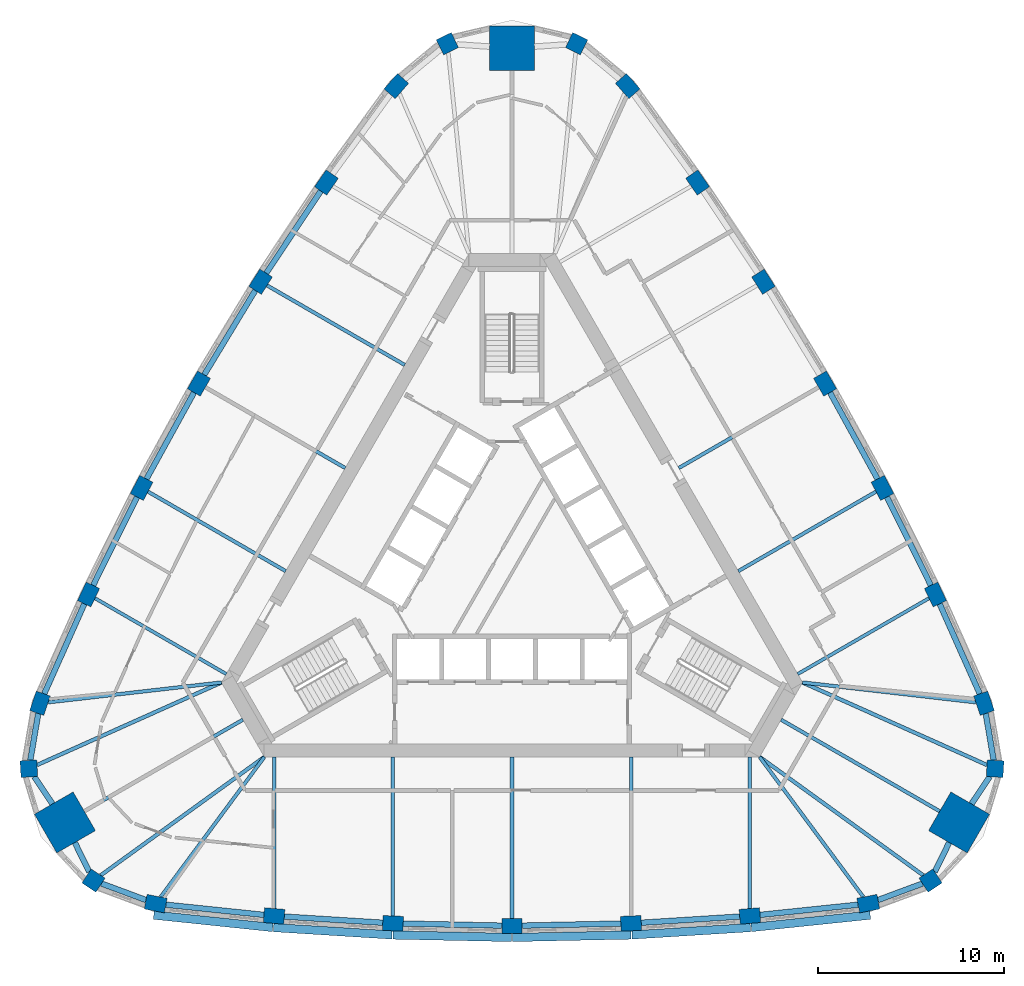
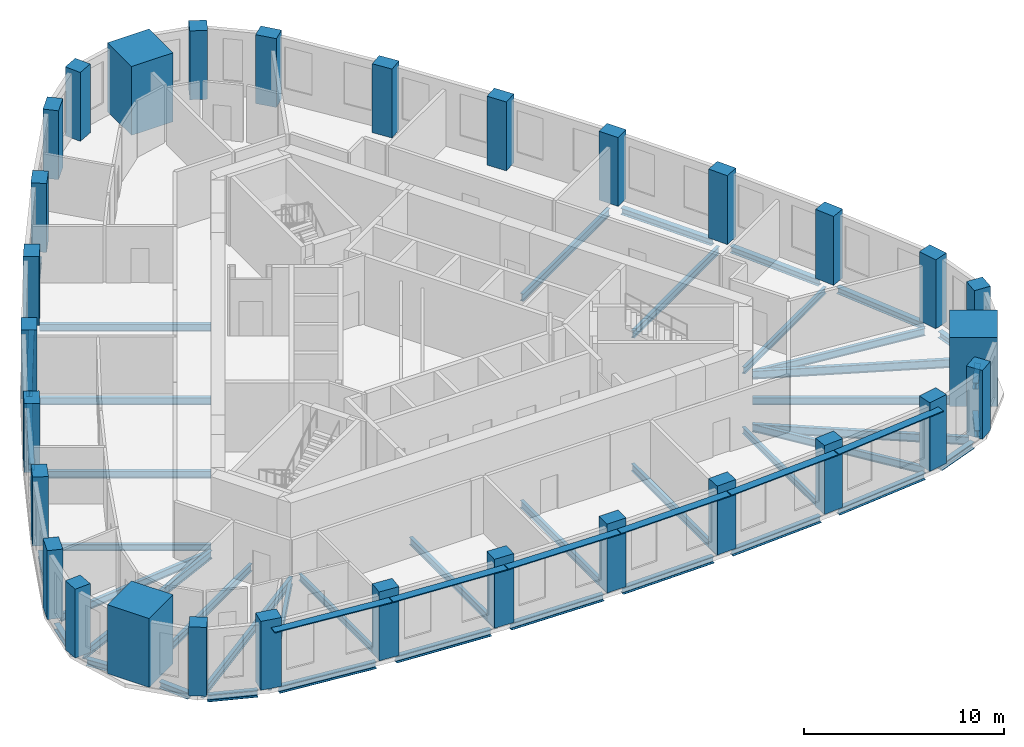
# One storey, part 1 of 10: 44 beams, 30 columns, 6 members.
"""IFC4 building model written with IfcOpenShell, lengths in metres."""

from ifc_helpers import new_model, si_unit, direction, frame, origin, origin_2d, place, context, subcontext, project, spatial, rectangle, i_section, extrude, material, material_profile, profile_set, type_object, element, save


model = new_model("IFC4")

# Units and contexts
model_context = context("Model", 3, precision=1e-05, world=origin(), true_north=direction((0.0, 1.0)))
body_context = subcontext(model_context, "Body", "Model", "MODEL_VIEW")
ifc_project = project(units=[si_unit("LENGTHUNIT", "METRE"), si_unit("AREAUNIT", "SQUARE_METRE"), si_unit("VOLUMEUNIT", "CUBIC_METRE"), si_unit("PLANEANGLEUNIT", "RADIAN"), si_unit("MASSUNIT", "GRAM", prefix="KILO")], contexts=[model_context])

# Site, building, storey
site_placement = place(None, origin())
site = spatial("IfcSite", under=ifc_project, at=site_placement, CompositionType="ELEMENT")
building_placement = place(site_placement, origin())
building = spatial("IfcBuilding", under=site, at=building_placement, Name="Mestral Congress Tower", CompositionType="ELEMENT")
storey_placement = place(building_placement, frame((0.0, 0.0, 222.60009765625)))
storey = spatial("IfcBuildingStorey", under=building, at=storey_placement, Name="L52", CompositionType="ELEMENT", Elevation=222.60009765625)

# Columns
ifc_material_1 = material(Name="Concrete C60/75", Category="concrete")
ifc_material_profile_1 = material_profile(ifc_material_1, rectangle(XDim=1.10009765625, YDim=0.800048828125, at=origin_2d()), Name="RC 1100x800")
ifc_profile_set_1 = profile_set([ifc_material_profile_1], Name="Concrete C60/75")
column_type_1 = type_object("IfcColumnType", Name="Column RC 1100x800 C60/75", PredefinedType="COLUMN", material=ifc_profile_set_1)
for number, where, z_axis, x_axis, name in (
    (1, (-19.150390625, -18.23681640625, 0.0), (0.0, 0.0, 1.0), (0.981324571854, -0.192359259395, 0.0), "COL-L52-C4-S00"),
    (2, (-12.785400390625, -18.899658203125, 0.0), (0.0, 0.0, 1.0), (0.996556680667, -0.082914306473, 0.0), "COL-L52-C4-S01"),
    (3, (-6.398193359375, -19.2978515625, 0.0), (0.0, 0.0, 1.0), (0.999138835542, -0.041492015025, 0.0), "COL-L52-C4-S02"),
    (4, (0.0, -19.4306640625, 0.0), (0.0, 0.0, 1.0), (1.0, 0.0, 0.0), "COL-L52-C4-S03"),
    (5, (6.398193359375, -19.2978515625, 0.0), (0.0, 0.0, 1.0), (0.999138835542, 0.041492015025, 0.0), "COL-L52-C4-S04"),
    (6, (12.785400390625, -18.899658203125, 0.0), (0.0, 0.0, 1.0), (0.996556680667, 0.082914306473, 0.0), "COL-L52-C4-S05"),
    (7, (19.150390625, -18.23681640625, 0.0), (0.0, 0.0, 1.0), (0.981324571854, 0.192359259395, 0.0), "COL-L52-C4-S06"),
    (8, (25.368896484375, -7.46630859375, 0.0), (0.0, 0.0, 1.0), (-0.324074280638, 0.946031638281, 0.0), "COL-L52-C4-E00"),
    (9, (22.76025390625, -1.62255859375, 0.0), (0.0, 0.0, 1.0), (-0.426472444591, 0.904500555005, 0.0), "COL-L52-C4-E01"),
    (10, (19.91162109375, 4.10791015625, 0.0), (0.0, 0.0, 1.0), (-0.463636278705, 0.886025621, 0.0), "COL-L52-C4-E02"),
    (11, (16.827392578125, 9.71533203125, 0.0), (0.0, 0.0, 1.0), (-0.5, 0.866025403784, 0.0), "COL-L52-C4-E03"),
    (12, (13.51318359375, 15.18994140625, 0.0), (0.0, 0.0, 1.0), (-0.535502556837, 0.844533605975, 0.0), "COL-L52-C4-E04"),
    (13, (9.974853515625, 20.522216796875, 0.0), (0.0, 0.0, 1.0), (-0.570084236076, 0.821586248532, 0.0), "COL-L52-C4-E05"),
    (14, (6.218505859375, 25.703125, 0.0), (0.0, 0.0, 1.0), (-0.657250291216, 0.753672378886, 0.0), "COL-L52-C4-E06"),
    (15, (-6.218505859375, 25.703125, 0.0), (0.0, 0.0, 1.0), (-0.657250291216, -0.753672378886, 0.0), "COL-L52-C4-W00"),
    (16, (-9.974853515625, 20.522216796875, 0.0), (0.0, 0.0, 1.0), (-0.570084236076, -0.821586248532, 0.0), "COL-L52-C4-W01"),
    (17, (-13.51318359375, 15.18994140625, 0.0), (0.0, 0.0, 1.0), (-0.535502556837, -0.844533605975, 0.0), "COL-L52-C4-W02"),
    (18, (-16.827392578125, 9.71533203125, 0.0), (0.0, 0.0, 1.0), (-0.5, -0.866025403784, 0.0), "COL-L52-C4-W03"),
    (19, (-19.91162109375, 4.10791015625, 0.0), (0.0, 0.0, 1.0), (-0.463636278705, -0.886025621, 0.0), "COL-L52-C4-W04"),
    (20, (-22.76025390625, -1.62255859375, 0.0), (0.0, 0.0, 1.0), (-0.426472444591, -0.904500555005, 0.0), "COL-L52-C4-W05"),
    (21, (-25.368896484375, -7.46630859375, 0.0), (0.0, 0.0, 1.0), (-0.324074280638, -0.946031638281, 0.0), "COL-L52-C4-W06"),
):
    element("IfcColumn", number, at=place(storey_placement, frame(where, z_axis=z_axis, x_axis=x_axis)), inside=storey, type_object=column_type_1, Name=name, PredefinedType="COLUMN", context=body_context, shape_type="SweptSolid", body=[
        extrude(rectangle(XDim=1.10009765625, YDim=0.800048828125, at=origin_2d()), origin(), (0.0, 0.0, 1.0), 4.199951171875),
    ])
ifc_material_profile_2 = material_profile(ifc_material_1, rectangle(XDim=0.89990234375, YDim=0.89990234375, at=origin_2d()), Name="RC 900x900")
ifc_profile_set_2 = profile_set([ifc_material_profile_2], Name="Concrete C60/75")
column_type_2 = type_object("IfcColumnType", Name="Column RC 900x900 C60/75", PredefinedType="COLUMN", material=ifc_profile_set_2)
for number, where, z_axis, x_axis, name in (
    (22, (22.494384765625, -16.99658203125, 0.0), (0.0, 0.0, 1.0), (0.833238868178, 0.552913183563, 0.0), "COL-L52-C4-SE1"),
    (23, (25.966552734375, -10.982421875, 0.0), (0.0, 0.0, 1.0), (0.062217428964, 0.998062619044, 0.0), "COL-L52-C4-SE3"),
    (24, (3.47216796875, 27.97900390625, 0.0), (0.0, 0.0, 1.0), (-0.895456297142, 0.445149435481, 0.0), "COL-L52-C4-N1"),
    (25, (-3.47216796875, 27.97900390625, 0.0), (0.0, 0.0, 1.0), (-0.895456297142, -0.445149435481, 0.0), "COL-L52-C4-N3"),
    (26, (-25.966552734375, -10.982421875, 0.0), (0.0, 0.0, 1.0), (0.062217428964, -0.998062619044, 0.0), "COL-L52-C4-SW1"),
    (27, (-22.494384765625, -16.99658203125, 0.0), (0.0, 0.0, 1.0), (0.833238868178, -0.552913183563, 0.0), "COL-L52-C4-SW3"),
):
    element("IfcColumn", number, at=place(storey_placement, frame(where, z_axis=z_axis, x_axis=x_axis)), inside=storey, type_object=column_type_2, Name=name, PredefinedType="COLUMN", context=body_context, shape_type="SweptSolid", body=[
        extrude(rectangle(XDim=0.89990234375, YDim=0.89990234375, at=origin_2d()), origin(), (0.0, 0.0, 1.0), 4.199951171875),
    ])
ifc_material_2 = material(Name="Concrete C70/85", Category="concrete")
ifc_material_profile_3 = material_profile(ifc_material_2, rectangle(XDim=2.39990234375, YDim=2.39990234375, at=origin_2d()), Name="RC 2400x2400")
ifc_profile_set_3 = profile_set([ifc_material_profile_3], Name="Concrete C70/85")
column_type_3 = type_object("IfcColumnType", Name="Mega column RC 2400x2400 C70/85", PredefinedType="COLUMN", material=ifc_profile_set_3)
for number, where, z_axis, x_axis, name in (
    (28, (24.02734375, -13.872314453125, 0.0), (0.0, 0.0, 1.0), (0.866025403784, -0.5, 0.0), "COL-L52-PY4-SE"),
    (29, (0.0, 27.744384765625, 0.0), (0.0, 0.0, 1.0), (0.0, 1.0, 0.0), "COL-L52-PY4-N"),
    (30, (-24.02734375, -13.872314453125, 0.0), (0.0, 0.0, 1.0), (-0.866025403784, -0.5, 0.0), "COL-L52-PY4-SW"),
):
    element("IfcColumn", number, at=place(storey_placement, frame(where, z_axis=z_axis, x_axis=x_axis)), inside=storey, type_object=column_type_3, Name=name, PredefinedType="COLUMN", context=body_context, shape_type="SweptSolid", body=[
        extrude(rectangle(XDim=2.39990234375, YDim=2.39990234375, at=origin_2d()), origin(), (0.0, 0.0, 1.0), 4.199951171875),
    ])

# Members
ifc_material_3 = material(Name="Glazed ceramic", Category="masonry")
ifc_material_profile_4 = material_profile(ifc_material_3, rectangle(XDim=0.449951171875, YDim=0.06005859375, at=origin_2d()), Name="Ceramic blade 450 x 60")
ifc_profile_set_4 = profile_set([ifc_material_profile_4], Name="Glazed ceramic")
member_type = type_object("IfcMemberType", Name="Facade sunshade blade 450 x 60", PredefinedType="USERDEFINED", material=ifc_profile_set_4)
member_1_placement = place(storey_placement, frame((-19.251708984375, -18.8544921875, 3.679931640625), z_axis=(0.994617919471, -0.103610782581, 0.0), x_axis=(0.103610782581, 0.994617919471, 0.0)))
element("IfcMember", 31, at=member_1_placement, inside=storey, type_object=member_type, Name="Sunshade F0-00", ObjectType="SUNSHADE", PredefinedType="USERDEFINED", context=body_context, shape_type="SweptSolid", body=[
    extrude(rectangle(XDim=0.449951171875, YDim=0.06005859375, at=origin_2d()), origin(), (0.0, 0.0, 1.0), 6.42578125),
])
member_2_placement = place(storey_placement, frame((-12.8134765625, -19.524169921875, 3.679931640625), z_axis=(0.99806373271, -0.062199561482, 0.0), x_axis=(0.062199561482, 0.99806373271, 0.0)))
element("IfcMember", 32, at=member_2_placement, inside=storey, type_object=member_type, Name="Sunshade F0-01", ObjectType="SUNSHADE", PredefinedType="USERDEFINED", context=body_context, shape_type="SweptSolid", body=[
    extrude(rectangle(XDim=0.449951171875, YDim=0.06005859375, at=origin_2d()), origin(), (0.0, 0.0, 1.0), 6.37841796875),
])
for number, where, z_axis, x_axis, name in (
    (33, (-6.400390625, -19.9228515625, 3.679931640625), (0.99978476383, -0.0207467109, 0.0), (0.0207467109, 0.99978476383, 0.0), "Sunshade F0-02"),
    (34, (0.023681640625, -20.05517578125, 3.679931640625), (0.99978476383, 0.0207467109, 0.0), (-0.0207467109, 0.99978476383, 0.0), "Sunshade F0-03"),
):
    element("IfcMember", number, at=place(storey_placement, frame(where, z_axis=z_axis, x_axis=x_axis)), inside=storey, type_object=member_type, Name=name, ObjectType="SUNSHADE", PredefinedType="USERDEFINED", context=body_context, shape_type="SweptSolid", body=[
        extrude(rectangle(XDim=0.449951171875, YDim=0.06005859375, at=origin_2d()), origin(), (0.0, 0.0, 1.0), 6.378173828125),
    ])
member_3_placement = place(storey_placement, frame((6.447509765625, -19.9208984375, 3.679931640625), z_axis=(0.99806373271, 0.062199561482, 0.0), x_axis=(-0.062199561482, 0.99806373271, 0.0)))
element("IfcMember", 35, at=member_3_placement, inside=storey, type_object=member_type, Name="Sunshade F0-04", ObjectType="SUNSHADE", PredefinedType="USERDEFINED", context=body_context, shape_type="SweptSolid", body=[
    extrude(rectangle(XDim=0.449951171875, YDim=0.06005859375, at=origin_2d()), origin(), (0.0, 0.0, 1.0), 6.37841796875),
])
member_4_placement = place(storey_placement, frame((12.860595703125, -19.520263671875, 3.679931640625), z_axis=(0.994617919471, 0.103610782581, 0.0), x_axis=(-0.103610782581, 0.994617919471, 0.0)))
element("IfcMember", 36, at=member_4_placement, inside=storey, type_object=member_type, Name="Sunshade F0-05", ObjectType="SUNSHADE", PredefinedType="USERDEFINED", context=body_context, shape_type="SweptSolid", body=[
    extrude(rectangle(XDim=0.449951171875, YDim=0.06005859375, at=origin_2d()), origin(), (0.0, 0.0, 1.0), 6.42578125),
])

# Beams
ifc_material_4 = material(Name="Steel S355", Category="steel")
ifc_material_profile_5 = material_profile(ifc_material_4, i_section(OverallWidth=0.179931640625, OverallDepth=0.39990234375, WebThickness=0.008544921875, FlangeThickness=0.013427734375, FilletRadius=0.02099609375, at=origin_2d()), Name="IPE 400")
ifc_profile_set_5 = profile_set([ifc_material_profile_5], Name="Steel S355")
beam_type_1 = type_object("IfcBeamType", Name="Floor beam IPE 400 S355", PredefinedType="BEAM", material=ifc_profile_set_5)
for number, where, z_axis, x_axis, name in (
    (37, (-12.785400390625, -18.498291015625, -0.4501953125), (0.0, 1.0, 0.0), (-1.0, 0.0, 0.0), "BM-L52-RB4-S01"),
    (38, (12.785400390625, -18.498291015625, -0.4501953125), (0.0, 1.0, 0.0), (-1.0, 0.0, 0.0), "BM-L52-RB4-S05"),
):
    element("IfcBeam", number, at=place(storey_placement, frame(where, z_axis=z_axis, x_axis=x_axis)), inside=storey, type_object=beam_type_1, Name=name, PredefinedType="BEAM", context=body_context, shape_type="SweptSolid", body=[
        extrude(i_section(OverallWidth=0.179931640625, OverallDepth=0.39990234375, WebThickness=0.008544921875, FlangeThickness=0.013427734375, FilletRadius=0.02099609375, at=origin_2d()), origin(), (0.0, 0.0, 1.0), 8.148193359375),
    ])
for number, where, z_axis, x_axis, name in (
    (39, (22.41259765625, -1.8232421875, -0.4501953125), (-0.866021929094, -0.500006018292, 0.0), (0.500006018292, -0.866021929094, 0.0), "BM-L52-RB4-E01"),
    (40, (-22.41259765625, -1.8232421875, -0.4501953125), (0.866021929094, -0.500006018292, 0.0), (0.500006018292, 0.866021929094, 0.0), "BM-L52-RB4-W05"),
):
    element("IfcBeam", number, at=place(storey_placement, frame(where, z_axis=z_axis, x_axis=x_axis)), inside=storey, type_object=beam_type_1, Name=name, PredefinedType="BEAM", context=body_context, shape_type="SweptSolid", body=[
        extrude(i_section(OverallWidth=0.179931640625, OverallDepth=0.39990234375, WebThickness=0.008544921875, FlangeThickness=0.013427734375, FilletRadius=0.02099609375, at=origin_2d()), origin(), (0.0, 0.0, 1.0), 8.1484375),
    ])
ifc_material_profile_6 = material_profile(ifc_material_4, i_section(OverallWidth=0.18994140625, OverallDepth=0.449951171875, WebThickness=0.009521484375, FlangeThickness=0.0146484375, FilletRadius=0.02099609375, at=origin_2d()), Name="IPE 450")
ifc_profile_set_6 = profile_set([ifc_material_profile_6], Name="Steel S355")
beam_type_2 = type_object("IfcBeamType", Name="Floor beam IPE 450 S355", PredefinedType="BEAM", material=ifc_profile_set_6)
beam_1_placement = place(storey_placement, frame((-18.88671875, -17.880859375, -0.47509765625), z_axis=(0.595263059859, 0.803530888994, 0.0), x_axis=(-0.803530888994, 0.595263059859, 0.0)))
element("IfcBeam", 41, at=beam_1_placement, inside=storey, type_object=beam_type_2, Name="BM-L52-RB4-S00", PredefinedType="BEAM", context=body_context, shape_type="SweptSolid", body=[
    extrude(i_section(OverallWidth=0.18994140625, OverallDepth=0.449951171875, WebThickness=0.009521484375, FlangeThickness=0.0146484375, FilletRadius=0.02099609375, at=origin_2d()), origin(), (0.0, 0.0, 1.0), 9.3720703125),
])
beam_2_placement = place(storey_placement, frame((-6.398193359375, -18.8974609375, -0.47509765625), z_axis=(0.0, 1.0, 0.0), x_axis=(-1.0, 0.0, 0.0)))
element("IfcBeam", 42, at=beam_2_placement, inside=storey, type_object=beam_type_2, Name="BM-L52-RB4-S02", PredefinedType="BEAM", context=body_context, shape_type="SweptSolid", body=[
    extrude(i_section(OverallWidth=0.18994140625, OverallDepth=0.449951171875, WebThickness=0.009521484375, FlangeThickness=0.0146484375, FilletRadius=0.02099609375, at=origin_2d()), origin(), (0.0, 0.0, 1.0), 8.54736328125),
])
beam_3_placement = place(storey_placement, frame((0.0, -19.030517578125, -0.47509765625), z_axis=(0.0, 1.0, 0.0), x_axis=(-1.0, 0.0, 0.0)))
element("IfcBeam", 43, at=beam_3_placement, inside=storey, type_object=beam_type_2, Name="BM-L52-RB4-S03", PredefinedType="BEAM", context=body_context, shape_type="SweptSolid", body=[
    extrude(i_section(OverallWidth=0.18994140625, OverallDepth=0.449951171875, WebThickness=0.009521484375, FlangeThickness=0.0146484375, FilletRadius=0.02099609375, at=origin_2d()), origin(), (0.0, 0.0, 1.0), 8.680419921875),
])
beam_4_placement = place(storey_placement, frame((6.398193359375, -18.8974609375, -0.47509765625), z_axis=(0.0, 1.0, 0.0), x_axis=(-1.0, 0.0, 0.0)))
element("IfcBeam", 44, at=beam_4_placement, inside=storey, type_object=beam_type_2, Name="BM-L52-RB4-S04", PredefinedType="BEAM", context=body_context, shape_type="SweptSolid", body=[
    extrude(i_section(OverallWidth=0.18994140625, OverallDepth=0.449951171875, WebThickness=0.009521484375, FlangeThickness=0.0146484375, FilletRadius=0.02099609375, at=origin_2d()), origin(), (0.0, 0.0, 1.0), 8.54736328125),
])
beam_5_placement = place(storey_placement, frame((18.88671875, -17.880859375, -0.47509765625), z_axis=(-0.595263059859, 0.803530888994, 0.0), x_axis=(-0.803530888994, -0.595263059859, 0.0)))
element("IfcBeam", 45, at=beam_5_placement, inside=storey, type_object=beam_type_2, Name="BM-L52-RB4-S06", PredefinedType="BEAM", context=body_context, shape_type="SweptSolid", body=[
    extrude(i_section(OverallWidth=0.18994140625, OverallDepth=0.449951171875, WebThickness=0.009521484375, FlangeThickness=0.0146484375, FilletRadius=0.02099609375, at=origin_2d()), origin(), (0.0, 0.0, 1.0), 9.3720703125),
])
beam_6_placement = place(storey_placement, frame((22.98828125, -13.272216796875, -0.47509765625), z_axis=(-0.866021631874, 0.500006533084, 0.0), x_axis=(-0.500006533084, -0.866021631874, 0.0)))
element("IfcBeam", 46, at=beam_6_placement, inside=storey, type_object=beam_type_2, Name="BM-L52-RB4-SE", PredefinedType="BEAM", context=body_context, shape_type="SweptSolid", body=[
    extrude(i_section(OverallWidth=0.18994140625, OverallDepth=0.449951171875, WebThickness=0.009521484375, FlangeThickness=0.0146484375, FilletRadius=0.02099609375, at=origin_2d()), origin(), (0.0, 0.0, 1.0), 9.844482421875),
])
beam_7_placement = place(storey_placement, frame((24.9287109375, -7.416015625, -0.47509765625), z_axis=(-0.99351166529, 0.11373025513, 0.0), x_axis=(-0.11373025513, -0.99351166529, 0.0)))
element("IfcBeam", 47, at=beam_7_placement, inside=storey, type_object=beam_type_2, Name="BM-L52-RB4-E00", PredefinedType="BEAM", context=body_context, shape_type="SweptSolid", body=[
    extrude(i_section(OverallWidth=0.18994140625, OverallDepth=0.449951171875, WebThickness=0.009521484375, FlangeThickness=0.0146484375, FilletRadius=0.02099609375, at=origin_2d()), origin(), (0.0, 0.0, 1.0), 9.372314453125),
])
beam_8_placement = place(storey_placement, frame((19.564697265625, 3.90771484375, -0.47509765625), z_axis=(-0.866028621479, -0.499994426748, 0.0), x_axis=(0.499994426748, -0.866028621479, 0.0)))
element("IfcBeam", 48, at=beam_8_placement, inside=storey, type_object=beam_type_2, Name="BM-L52-RB4-E02", PredefinedType="BEAM", context=body_context, shape_type="SweptSolid", body=[
    extrude(i_section(OverallWidth=0.18994140625, OverallDepth=0.449951171875, WebThickness=0.009521484375, FlangeThickness=0.0146484375, FilletRadius=0.02099609375, at=origin_2d()), origin(), (0.0, 0.0, 1.0), 8.54736328125),
])
beam_9_placement = place(storey_placement, frame((16.48095703125, 9.515380859375, -0.47509765625), z_axis=(-0.866022596503, -0.500004862322, 0.0), x_axis=(0.500004862322, -0.866022596503, 0.0)))
element("IfcBeam", 49, at=beam_9_placement, inside=storey, type_object=beam_type_2, Name="BM-L52-RB4-E03", PredefinedType="BEAM", context=body_context, shape_type="SweptSolid", body=[
    extrude(i_section(OverallWidth=0.18994140625, OverallDepth=0.449951171875, WebThickness=0.009521484375, FlangeThickness=0.0146484375, FilletRadius=0.02099609375, at=origin_2d()), origin(), (0.0, 0.0, 1.0), 8.6806640625),
])
beam_10_placement = place(storey_placement, frame((-13.16650390625, 14.98974609375, -0.47509765625), z_axis=(0.866028621479, -0.499994426748, 0.0), x_axis=(0.499994426748, 0.866028621479, 0.0)))
element("IfcBeam", 50, at=beam_10_placement, inside=storey, type_object=beam_type_2, Name="BM-L52-RB4-W02", PredefinedType="BEAM", context=body_context, shape_type="SweptSolid", body=[
    extrude(i_section(OverallWidth=0.18994140625, OverallDepth=0.449951171875, WebThickness=0.009521484375, FlangeThickness=0.0146484375, FilletRadius=0.02099609375, at=origin_2d()), origin(), (0.0, 0.0, 1.0), 8.54736328125),
])
beam_11_placement = place(storey_placement, frame((-16.48095703125, 9.515380859375, -0.47509765625), z_axis=(0.866022596503, -0.500004862322, 0.0), x_axis=(0.500004862322, 0.866022596503, 0.0)))
element("IfcBeam", 51, at=beam_11_placement, inside=storey, type_object=beam_type_2, Name="BM-L52-RB4-W03", PredefinedType="BEAM", context=body_context, shape_type="SweptSolid", body=[
    extrude(i_section(OverallWidth=0.18994140625, OverallDepth=0.449951171875, WebThickness=0.009521484375, FlangeThickness=0.0146484375, FilletRadius=0.02099609375, at=origin_2d()), origin(), (0.0, 0.0, 1.0), 8.6806640625),
])
beam_12_placement = place(storey_placement, frame((-19.564697265625, 3.90771484375, -0.47509765625), z_axis=(0.866028621479, -0.499994426748, 0.0), x_axis=(0.499994426748, 0.866028621479, 0.0)))
element("IfcBeam", 52, at=beam_12_placement, inside=storey, type_object=beam_type_2, Name="BM-L52-RB4-W04", PredefinedType="BEAM", context=body_context, shape_type="SweptSolid", body=[
    extrude(i_section(OverallWidth=0.18994140625, OverallDepth=0.449951171875, WebThickness=0.009521484375, FlangeThickness=0.0146484375, FilletRadius=0.02099609375, at=origin_2d()), origin(), (0.0, 0.0, 1.0), 8.54736328125),
])
beam_13_placement = place(storey_placement, frame((-24.9287109375, -7.416015625, -0.47509765625), z_axis=(0.99351166529, 0.11373025513, 0.0), x_axis=(-0.11373025513, 0.99351166529, 0.0)))
element("IfcBeam", 53, at=beam_13_placement, inside=storey, type_object=beam_type_2, Name="BM-L52-RB4-W06", PredefinedType="BEAM", context=body_context, shape_type="SweptSolid", body=[
    extrude(i_section(OverallWidth=0.18994140625, OverallDepth=0.449951171875, WebThickness=0.009521484375, FlangeThickness=0.0146484375, FilletRadius=0.02099609375, at=origin_2d()), origin(), (0.0, 0.0, 1.0), 9.372314453125),
])
beam_14_placement = place(storey_placement, frame((-22.98828125, -13.272216796875, -0.47509765625), z_axis=(0.866021631874, 0.500006533084, 0.0), x_axis=(-0.500006533084, 0.866021631874, 0.0)))
element("IfcBeam", 54, at=beam_14_placement, inside=storey, type_object=beam_type_2, Name="BM-L52-RB4-SW", PredefinedType="BEAM", context=body_context, shape_type="SweptSolid", body=[
    extrude(i_section(OverallWidth=0.18994140625, OverallDepth=0.449951171875, WebThickness=0.009521484375, FlangeThickness=0.0146484375, FilletRadius=0.02099609375, at=origin_2d()), origin(), (0.0, 0.0, 1.0), 9.844482421875),
])
ifc_material_profile_7 = material_profile(ifc_material_4, i_section(OverallWidth=0.199951171875, OverallDepth=0.5, WebThickness=0.01025390625, FlangeThickness=0.01611328125, FilletRadius=0.02099609375, at=origin_2d()), Name="IPE 500")
ifc_profile_set_7 = profile_set([ifc_material_profile_7], Name="Steel S355")
beam_type_3 = type_object("IfcBeamType", Name="Floor beam IPE 500 S355", PredefinedType="BEAM", material=ifc_profile_set_7)
beam_15_placement = place(storey_placement, frame((22.10498046875, -16.71484375, -0.5), z_axis=(-0.810186242112, 0.586172545496, 0.0), x_axis=(-0.586172545496, -0.810186242112, 0.0)))
element("IfcBeam", 55, at=beam_15_placement, inside=storey, type_object=beam_type_3, Name="BM-L52-RB4-SE1", PredefinedType="BEAM", context=body_context, shape_type="SweptSolid", body=[
    extrude(i_section(OverallWidth=0.199951171875, OverallDepth=0.5, WebThickness=0.01025390625, FlangeThickness=0.01611328125, FilletRadius=0.02099609375, at=origin_2d()), origin(), (0.0, 0.0, 1.0), 10.858154296875),
])
for number, where, z_axis, x_axis, name in (
    (56, (25.528076171875, -10.7861328125, -0.5), (-0.912742142995, 0.408536143323, 0.0), (-0.408536143323, -0.912742142995, 0.0), "BM-L52-RB4-SE3"),
    (57, (-25.528076171875, -10.7861328125, -0.5), (0.912742142995, 0.408536143323, 0.0), (-0.408536143323, 0.912742142995, 0.0), "BM-L52-RB4-SW1"),
):
    element("IfcBeam", number, at=place(storey_placement, frame(where, z_axis=z_axis, x_axis=x_axis)), inside=storey, type_object=beam_type_3, Name=name, PredefinedType="BEAM", context=body_context, shape_type="SweptSolid", body=[
        extrude(i_section(OverallWidth=0.199951171875, OverallDepth=0.5, WebThickness=0.01025390625, FlangeThickness=0.01611328125, FilletRadius=0.02099609375, at=origin_2d()), origin(), (0.0, 0.0, 1.0), 10.8583984375),
    ])
beam_16_placement = place(storey_placement, frame((-22.10498046875, -16.71484375, -0.5), z_axis=(0.810186242112, 0.586172545496, 0.0), x_axis=(-0.586172545496, 0.810186242112, 0.0)))
element("IfcBeam", 58, at=beam_16_placement, inside=storey, type_object=beam_type_3, Name="BM-L52-RB4-SW3", PredefinedType="BEAM", context=body_context, shape_type="SweptSolid", body=[
    extrude(i_section(OverallWidth=0.199951171875, OverallDepth=0.5, WebThickness=0.01025390625, FlangeThickness=0.01611328125, FilletRadius=0.02099609375, at=origin_2d()), origin(), (0.0, 0.0, 1.0), 10.858154296875),
])
ifc_material_profile_8 = material_profile(ifc_material_4, i_section(OverallWidth=0.300048828125, OverallDepth=0.389892578125, WebThickness=0.010986328125, FlangeThickness=0.01904296875, FilletRadius=0.027099609375, at=origin_2d()), Name="HEA 400")
ifc_profile_set_8 = profile_set([ifc_material_profile_8], Name="Steel S355")
beam_type_4 = type_object("IfcBeamType", Name="Spandrel beam HEA 400 S355", PredefinedType="BEAM", material=ifc_profile_set_8)
beam_17_placement = place(storey_placement, frame((-18.60107421875, -18.2939453125, -0.445068359375), z_axis=(0.994618013093, -0.103609883848, 0.0), x_axis=(0.103609883848, 0.994618013093, 0.0)))
element("IfcBeam", 59, at=beam_17_placement, inside=storey, type_object=beam_type_4, Name="SP-L52-SB4-S00", PredefinedType="BEAM", context=body_context, shape_type="SweptSolid", body=[
    extrude(i_section(OverallWidth=0.300048828125, OverallDepth=0.389892578125, WebThickness=0.010986328125, FlangeThickness=0.01904296875, FilletRadius=0.027099609375, at=origin_2d()), origin(), (0.0, 0.0, 1.0), 5.297119140625),
])
for number, where, z_axis, x_axis, name in (
    (60, (-12.236328125, -18.933837890625, -0.445068359375), (0.998061173507, -0.062240613248, 0.0), (0.062240613248, 0.998061173507, 0.0), "SP-L52-SB4-S01"),
    (61, (-5.84814453125, -19.309326171875, -0.445068359375), (0.999785070758, -0.020731914743, 0.0), (0.020731914743, 0.999785070758, 0.0), "SP-L52-SB4-S02"),
    (62, (0.550048828125, -19.419189453125, -0.445068359375), (0.999785070758, 0.020731914743, 0.0), (-0.020731914743, 0.999785070758, 0.0), "SP-L52-SB4-S03"),
    (63, (6.947265625, -19.263671875, -0.445068359375), (0.998061173507, 0.062240613248, 0.0), (-0.062240613248, 0.998061173507, 0.0), "SP-L52-SB4-S04"),
):
    element("IfcBeam", number, at=place(storey_placement, frame(where, z_axis=z_axis, x_axis=x_axis)), inside=storey, type_object=beam_type_4, Name=name, PredefinedType="BEAM", context=body_context, shape_type="SweptSolid", body=[
        extrude(i_section(OverallWidth=0.300048828125, OverallDepth=0.389892578125, WebThickness=0.010986328125, FlangeThickness=0.01904296875, FilletRadius=0.027099609375, at=origin_2d()), origin(), (0.0, 0.0, 1.0), 5.29931640625),
    ])
beam_18_placement = place(storey_placement, frame((13.33251953125, -18.8427734375, -0.445068359375), z_axis=(0.994618013093, 0.103609883848, 0.0), x_axis=(-0.103609883848, 0.994618013093, 0.0)))
element("IfcBeam", 64, at=beam_18_placement, inside=storey, type_object=beam_type_4, Name="SP-L52-SB4-S05", PredefinedType="BEAM", context=body_context, shape_type="SweptSolid", body=[
    extrude(i_section(OverallWidth=0.300048828125, OverallDepth=0.389892578125, WebThickness=0.010986328125, FlangeThickness=0.01904296875, FilletRadius=0.027099609375, at=origin_2d()), origin(), (0.0, 0.0, 1.0), 5.297119140625),
])
beam_19_placement = place(storey_placement, frame((19.6728515625, -18.04296875, -0.445068359375), z_axis=(0.937591421971, 0.347738875374, 0.0), x_axis=(-0.347738875374, 0.937591421971, 0.0)))
element("IfcBeam", 65, at=beam_19_placement, inside=storey, type_object=beam_type_4, Name="SP-L52-SB4-S06", PredefinedType="BEAM", context=body_context, shape_type="SweptSolid", body=[
    extrude(i_section(OverallWidth=0.300048828125, OverallDepth=0.389892578125, WebThickness=0.010986328125, FlangeThickness=0.01904296875, FilletRadius=0.027099609375, at=origin_2d()), origin(), (0.0, 0.0, 1.0), 2.547119140625),
])
for number, where, z_axis, x_axis, name in (
    (66, (22.723876953125, -16.528564453125, -0.445068359375), (0.440528581483, 0.897738586058, 0.0), (-0.897738586058, 0.440528581483, 0.0), "SP-L52-SB4-SE1"),
    (67, (24.697509765625, -12.87353515625, -0.445068359375), (0.557295931564, 0.830313943435, 0.0), (-0.830313943435, 0.557295931564, 0.0), "SP-L52-SB4-SE"),
):
    element("IfcBeam", number, at=place(storey_placement, frame(where, z_axis=z_axis, x_axis=x_axis)), inside=storey, type_object=beam_type_4, Name=name, PredefinedType="BEAM", context=body_context, shape_type="SweptSolid", body=[
        extrude(i_section(OverallWidth=0.300048828125, OverallDepth=0.389892578125, WebThickness=0.010986328125, FlangeThickness=0.01904296875, FilletRadius=0.027099609375, at=origin_2d()), origin(), (0.0, 0.0, 1.0), 1.75634765625),
    ])
beam_20_placement = place(storey_placement, frame((25.88916015625, -10.52685546875, -0.445068359375), z_axis=(-0.167630891496, 0.98584982843, 0.0), x_axis=(-0.98584982843, -0.167630891496, 0.0)))
element("IfcBeam", 68, at=beam_20_placement, inside=storey, type_object=beam_type_4, Name="SP-L52-SB4-SE3", PredefinedType="BEAM", context=body_context, shape_type="SweptSolid", body=[
    extrude(i_section(OverallWidth=0.300048828125, OverallDepth=0.389892578125, WebThickness=0.010986328125, FlangeThickness=0.01904296875, FilletRadius=0.027099609375, at=origin_2d()), origin(), (0.0, 0.0, 1.0), 2.54736328125),
])
beam_21_placement = place(storey_placement, frame((25.143798828125, -6.9619140625, -0.445068359375), z_axis=(-0.407626134336, 0.913148911518, 0.0), x_axis=(-0.913148911518, -0.407626134336, 0.0)))
element("IfcBeam", 69, at=beam_21_placement, inside=storey, type_object=beam_type_4, Name="SP-L52-SB4-E00", PredefinedType="BEAM", context=body_context, shape_type="SweptSolid", body=[
    extrude(i_section(OverallWidth=0.300048828125, OverallDepth=0.389892578125, WebThickness=0.010986328125, FlangeThickness=0.01904296875, FilletRadius=0.027099609375, at=origin_2d()), origin(), (0.0, 0.0, 1.0), 5.296875),
])
beam_22_placement = place(storey_placement, frame((22.515380859375, -1.1298828125, -0.445068359375), z_axis=(-0.445148375831, 0.895456823914, 0.0), x_axis=(-0.895456823914, -0.445148375831, 0.0)))
element("IfcBeam", 70, at=beam_22_placement, inside=storey, type_object=beam_type_4, Name="SP-L52-SB4-E01", PredefinedType="BEAM", context=body_context, shape_type="SweptSolid", body=[
    extrude(i_section(OverallWidth=0.300048828125, OverallDepth=0.389892578125, WebThickness=0.010986328125, FlangeThickness=0.01904296875, FilletRadius=0.027099609375, at=origin_2d()), origin(), (0.0, 0.0, 1.0), 5.299072265625),
])
beam_23_placement = place(storey_placement, frame((19.646484375, 4.58984375, -0.445068359375), z_axis=(-0.481918749772, 0.876215908677, 0.0), x_axis=(-0.876215908677, -0.481918749772, 0.0)))
element("IfcBeam", 71, at=beam_23_placement, inside=storey, type_object=beam_type_4, Name="SP-L52-SB4-E02", PredefinedType="BEAM", context=body_context, shape_type="SweptSolid", body=[
    extrude(i_section(OverallWidth=0.300048828125, OverallDepth=0.389892578125, WebThickness=0.010986328125, FlangeThickness=0.01904296875, FilletRadius=0.027099609375, at=origin_2d()), origin(), (0.0, 0.0, 1.0), 5.299560546875),
])
for number, where, z_axis, x_axis, name in (
    (72, (-10.279052734375, 20.063720703125, -0.445068359375), (-0.552934106774, -0.833224983762, 0.0), (0.833224983762, -0.552934106774, 0.0), "SP-L52-SB4-W01"),
    (73, (-13.798095703125, 14.71923828125, -0.445068359375), (-0.517865676042, -0.855461946306, 0.0), (0.855461946306, -0.517865676042, 0.0), "SP-L52-SB4-W02"),
):
    element("IfcBeam", number, at=place(storey_placement, frame(where, z_axis=z_axis, x_axis=x_axis)), inside=storey, type_object=beam_type_4, Name=name, PredefinedType="BEAM", context=body_context, shape_type="SweptSolid", body=[
        extrude(i_section(OverallWidth=0.300048828125, OverallDepth=0.389892578125, WebThickness=0.010986328125, FlangeThickness=0.01904296875, FilletRadius=0.027099609375, at=origin_2d()), origin(), (0.0, 0.0, 1.0), 5.29931640625),
    ])
beam_24_placement = place(storey_placement, frame((-17.092529296875, 9.2333984375, -0.445068359375), z_axis=(-0.481918749772, -0.876215908677, 0.0), x_axis=(0.876215908677, -0.481918749772, 0.0)))
element("IfcBeam", 74, at=beam_24_placement, inside=storey, type_object=beam_type_4, Name="SP-L52-SB4-W03", PredefinedType="BEAM", context=body_context, shape_type="SweptSolid", body=[
    extrude(i_section(OverallWidth=0.300048828125, OverallDepth=0.389892578125, WebThickness=0.010986328125, FlangeThickness=0.01904296875, FilletRadius=0.027099609375, at=origin_2d()), origin(), (0.0, 0.0, 1.0), 5.299560546875),
])
beam_25_placement = place(storey_placement, frame((-20.156494140625, 3.615234375, -0.445068359375), z_axis=(-0.445148375831, -0.895456823914, 0.0), x_axis=(0.895456823914, -0.445148375831, 0.0)))
element("IfcBeam", 75, at=beam_25_placement, inside=storey, type_object=beam_type_4, Name="SP-L52-SB4-W04", PredefinedType="BEAM", context=body_context, shape_type="SweptSolid", body=[
    extrude(i_section(OverallWidth=0.300048828125, OverallDepth=0.389892578125, WebThickness=0.010986328125, FlangeThickness=0.01904296875, FilletRadius=0.027099609375, at=origin_2d()), origin(), (0.0, 0.0, 1.0), 5.299072265625),
])
beam_26_placement = place(storey_placement, frame((-22.984619140625, -2.125, -0.445068359375), z_axis=(-0.407626134336, -0.913148911518, 0.0), x_axis=(0.913148911518, -0.407626134336, 0.0)))
element("IfcBeam", 76, at=beam_26_placement, inside=storey, type_object=beam_type_4, Name="SP-L52-SB4-W05", PredefinedType="BEAM", context=body_context, shape_type="SweptSolid", body=[
    extrude(i_section(OverallWidth=0.300048828125, OverallDepth=0.389892578125, WebThickness=0.010986328125, FlangeThickness=0.01904296875, FilletRadius=0.027099609375, at=origin_2d()), origin(), (0.0, 0.0, 1.0), 5.296875),
])
beam_27_placement = place(storey_placement, frame((-25.462158203125, -8.015625, -0.445068359375), z_axis=(-0.167630891496, -0.98584982843, 0.0), x_axis=(0.98584982843, -0.167630891496, 0.0)))
element("IfcBeam", 77, at=beam_27_placement, inside=storey, type_object=beam_type_4, Name="SP-L52-SB4-W06", PredefinedType="BEAM", context=body_context, shape_type="SweptSolid", body=[
    extrude(i_section(OverallWidth=0.300048828125, OverallDepth=0.389892578125, WebThickness=0.010986328125, FlangeThickness=0.01904296875, FilletRadius=0.027099609375, at=origin_2d()), origin(), (0.0, 0.0, 1.0), 2.54736328125),
])
for number, where, z_axis, x_axis, name in (
    (78, (-25.67626953125, -11.415283203125, -0.445068359375), (0.557295931564, -0.830313943435, 0.0), (0.830313943435, 0.557295931564, 0.0), "SP-L52-SB4-SW1"),
    (79, (-23.49755859375, -14.951904296875, -0.445068359375), (0.440528581483, -0.897738586058, 0.0), (0.897738586058, 0.440528581483, 0.0), "SP-L52-SB4-SW"),
):
    element("IfcBeam", number, at=place(storey_placement, frame(where, z_axis=z_axis, x_axis=x_axis)), inside=storey, type_object=beam_type_4, Name=name, PredefinedType="BEAM", context=body_context, shape_type="SweptSolid", body=[
        extrude(i_section(OverallWidth=0.300048828125, OverallDepth=0.389892578125, WebThickness=0.010986328125, FlangeThickness=0.01904296875, FilletRadius=0.027099609375, at=origin_2d()), origin(), (0.0, 0.0, 1.0), 1.75634765625),
    ])
beam_28_placement = place(storey_placement, frame((-22.06103515625, -17.1572265625, -0.445068359375), z_axis=(0.937591421971, -0.347738875374, 0.0), x_axis=(0.347738875374, 0.937591421971, 0.0)))
element("IfcBeam", 80, at=beam_28_placement, inside=storey, type_object=beam_type_4, Name="SP-L52-SB4-SW3", PredefinedType="BEAM", context=body_context, shape_type="SweptSolid", body=[
    extrude(i_section(OverallWidth=0.300048828125, OverallDepth=0.389892578125, WebThickness=0.010986328125, FlangeThickness=0.01904296875, FilletRadius=0.027099609375, at=origin_2d()), origin(), (0.0, 0.0, 1.0), 2.547119140625),
])

save(model, "model.ifc")
